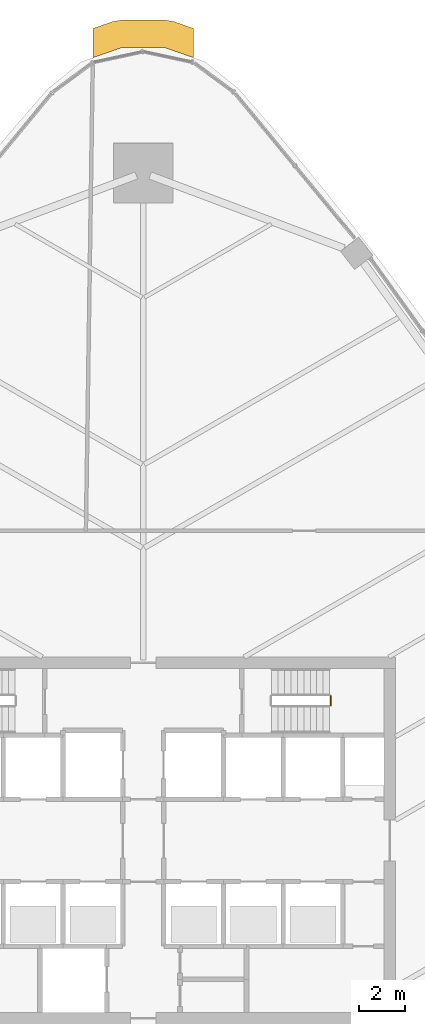
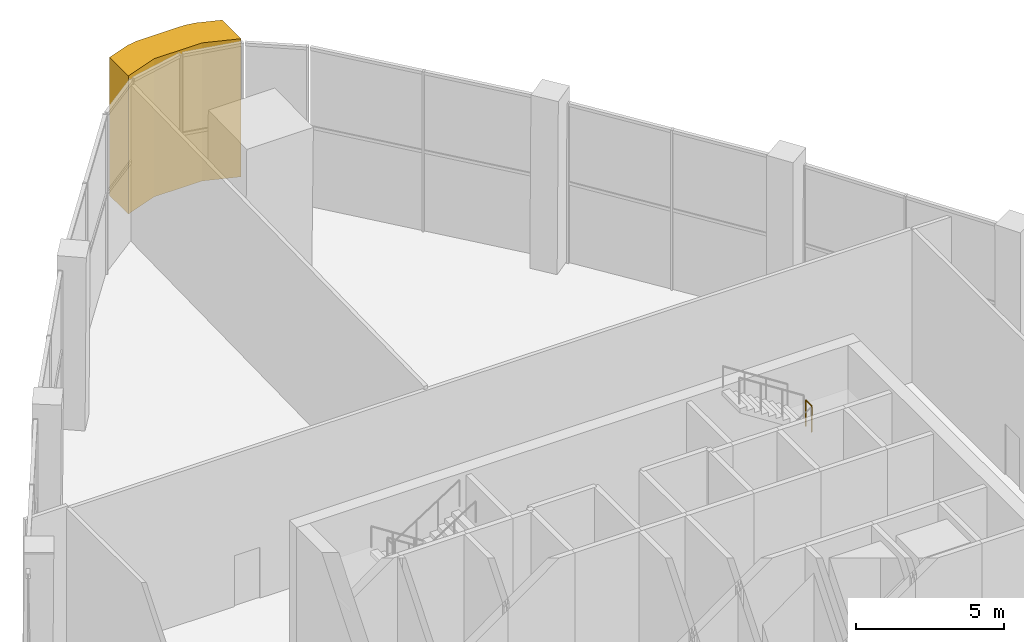
# One storey, part 14 of 15: 1 covering, 1 railing.
"""IFC4 building model written with IfcOpenShell, lengths in metres."""

from ifc_helpers import new_model, si_unit, direction, frame, origin, origin_2d, place, context, subcontext, project, spatial, polyline, circle, outline, extrude, material, layer, layer_set, type_object, element, save


model = new_model("IFC4")

# Units and contexts
model_context = context("Model", 3, precision=1e-05, world=origin(), true_north=direction((0.0, 1.0)))
body_context = subcontext(model_context, "Body", "Model", "MODEL_VIEW")
ifc_project = project(units=[si_unit("LENGTHUNIT", "METRE"), si_unit("AREAUNIT", "SQUARE_METRE"), si_unit("VOLUMEUNIT", "CUBIC_METRE"), si_unit("PLANEANGLEUNIT", "RADIAN"), si_unit("MASSUNIT", "GRAM", prefix="KILO")], contexts=[model_context])

# Site, building, storey
site_placement = place(None, origin())
site = spatial("IfcSite", under=ifc_project, at=site_placement, CompositionType="ELEMENT")
building_placement = place(site_placement, origin())
building = spatial("IfcBuilding", under=site, at=building_placement, Name="Sierra Prisma Convention Tower", CompositionType="ELEMENT")
storey_placement = place(building_placement, frame((0.0, 0.0, 118.60009765625)))
storey = spatial("IfcBuildingStorey", under=building, at=storey_placement, Name="L25", CompositionType="ELEMENT", Elevation=118.60009765625)

# Covering
ifc_material_1 = material(Name="Aluminium composite bronze anodised", Category="aluminium")
ifc_layer = layer(ifc_material_1, 1.199951171875)
ifc_layer_set = layer_set([ifc_layer], Name="Bronze corner pier")
covering_type = type_object("IfcCoveringType", Name="Bronze corner pier", PredefinedType="CLADDING", material=ifc_layer_set)
covering_placement = place(storey_placement, frame((0.0, 0.0, 0.89990234375)))
element("IfcCovering", 1, at=covering_placement, inside=storey, type_object=covering_type, Name="Corner pier N L25.1", PredefinedType="CLADDING", context=body_context, shape_type="SweptSolid", body=[
    extrude(outline(polyline([(-0.93408203125, 35.771728515625), (0.93408203125, 35.771728515625), (1.3330078125, 35.70361328125), (2.199951171875, 35.398193359375), (2.199951171875, 34.125732421875), (0.93408203125, 34.57177734375), (-0.93408203125, 34.57177734375), (-2.199951171875, 34.125732421875), (-2.199951171875, 35.398193359375), (-1.3330078125, 35.70361328125), (-0.93408203125, 35.771728515625)])), origin(), (0.0, 0.0, 1.0), 5.699951171875),
])

# Railing
ifc_material_2 = material(Name="Stainless steel", Category="steel")
railing_type = type_object("IfcRailingType", Name="Stair guard 1100", PredefinedType="GUARDRAIL", material=ifc_material_2)
railing_placement = place(storey_placement, frame((8.169921875, 5.89990234375, 5.39990234375)))
element("IfcRailing", 2, at=railing_placement, inside=storey, type_object=railing_type, Name="L25 S4 stair guard 6", PredefinedType="GUARDRAIL", context=body_context, shape_type="SweptSolid", body=[
    extrude(circle(Radius=0.02392578125, at=origin_2d()), frame((0.0, 0.0, 1.076171875), z_axis=(0.0, 1.0, 0.0), x_axis=(-1.0, 0.0, 0.0)), (0.0, 0.0, 1.0), 0.400146484375),
    extrude(circle(Radius=0.02099609375, at=origin_2d()), origin(), (0.0, 0.0, 1.0), 1.052001953125),
    extrude(circle(Radius=0.02099609375, at=origin_2d()), frame((0.0, 0.400146484375, 0.0)), (0.0, 0.0, 1.0), 1.052001953125),
])

save(model, "model.ifc")
